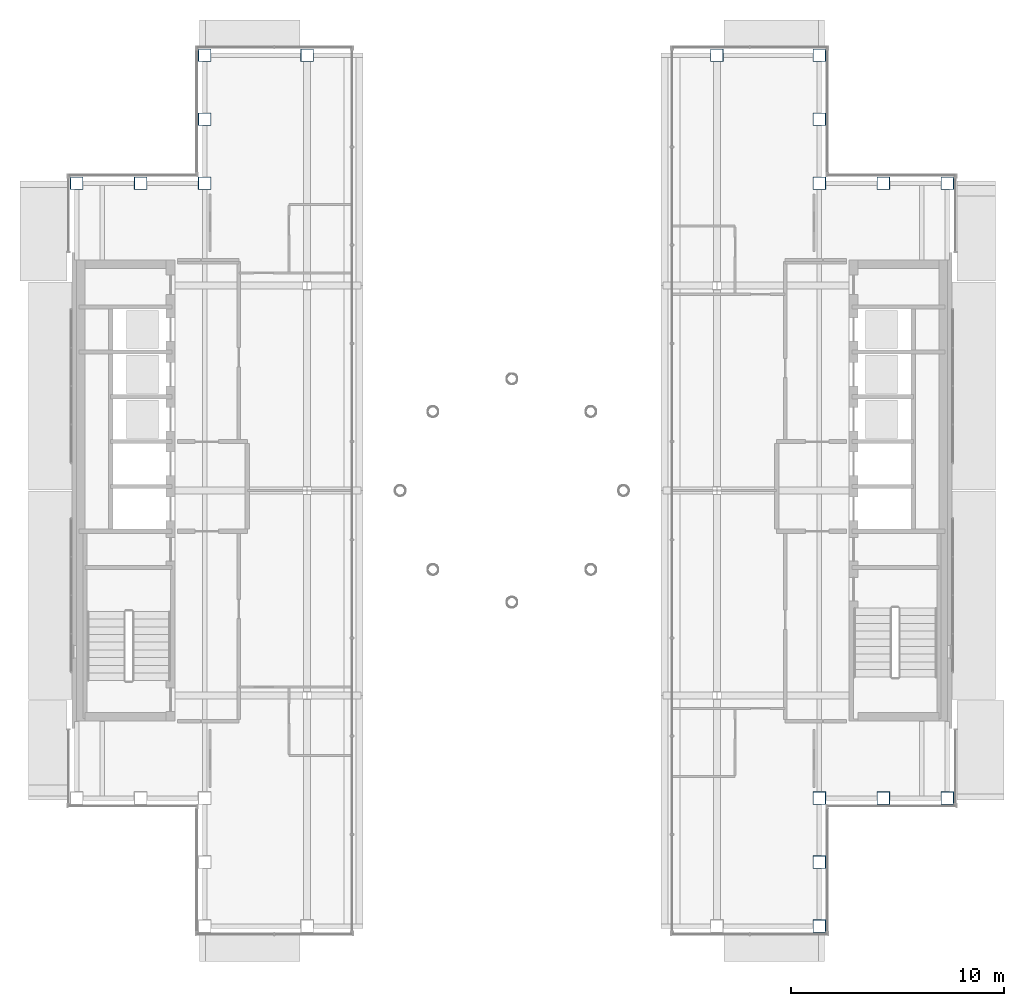
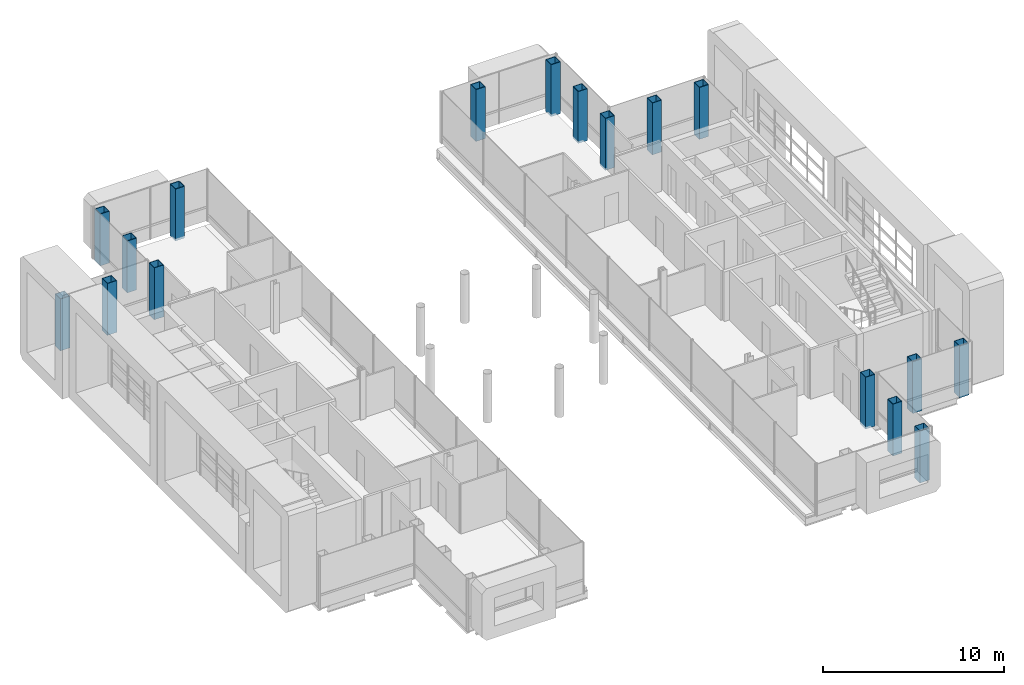
# One storey, part 2 of 21: 17 columns.
"""IFC4 building model written with IfcOpenShell, lengths in metres."""

from ifc_helpers import new_model, si_unit, direction, frame, origin, origin_2d, place, context, subcontext, project, spatial, hollow_rectangle, extrude, material, material_profile, profile_set, type_object, element, save


model = new_model("IFC4")

# Units and contexts
model_context = context("Model", 3, precision=1e-05, world=origin(), true_north=direction((0.0, 1.0)))
body_context = subcontext(model_context, "Body", "Model", "MODEL_VIEW")
ifc_project = project(units=[si_unit("LENGTHUNIT", "METRE"), si_unit("AREAUNIT", "SQUARE_METRE"), si_unit("VOLUMEUNIT", "CUBIC_METRE"), si_unit("PLANEANGLEUNIT", "RADIAN"), si_unit("MASSUNIT", "GRAM", prefix="KILO")], contexts=[model_context])

# Site, building, storey
site_placement = place(None, origin())
site = spatial("IfcSite", under=ifc_project, at=site_placement, CompositionType="ELEMENT")
building_placement = place(site_placement, origin())
building = spatial("IfcBuilding", under=site, at=building_placement, Name="Cobrizo Arcos Hotel Tower", CompositionType="ELEMENT")
storey_placement = place(building_placement, frame((0.0, 0.0, 269.0)))
storey = spatial("IfcBuildingStorey", under=building, at=storey_placement, Name="L71", CompositionType="ELEMENT", Elevation=269.0)

# Columns
ifc_material = material(Name="Steel ASTM A572 Grade 50", Category="steel")
ifc_material_profile = material_profile(ifc_material, hollow_rectangle(XDim=0.60009765625, YDim=0.60009765625, WallThickness=0.030029296875, at=origin_2d()), Name="BOX 600X600X30")
ifc_profile_set = profile_set([ifc_material_profile], Name="Steel ASTM A572 Grade 50")
column_type = type_object("IfcColumnType", Name="BOX 600X600X30 column", PredefinedType="COLUMN", material=ifc_profile_set)
for number, where, z_axis, x_axis, name in (
    (1, (-14.39990234375, 20.39990234375, -0.14990234375), (0.0, 0.0, 1.0), (1.0, 0.0, 0.0), "Perimeter column C12, L71, no. 00"),
    (2, (-9.60009765625, 20.39990234375, -0.14990234375), (0.0, 0.0, 1.0), (1.0, 0.0, 0.0), "Perimeter column C12, L71, no. 02"),
    (3, (9.60009765625, 20.39990234375, -0.14990234375), (0.0, 0.0, 1.0), (1.0, 0.0, 0.0), "Perimeter column C12, L71, no. 04"),
    (4, (14.39990234375, 20.39990234375, -0.14990234375), (0.0, 0.0, 1.0), (1.0, 0.0, 0.0), "Perimeter column C12, L71, no. 06"),
    (5, (14.39990234375, -20.39990234375, -0.14990234375), (0.0, 0.0, 1.0), (1.0, 0.0, 0.0), "Perimeter column C12, L71, no. 07"),
    (6, (20.39990234375, -14.39990234375, -0.14990234375), (0.0, 0.0, 1.0), (1.0, 0.0, 0.0), "Perimeter column C12, L71, no. 08"),
    (7, (20.39990234375, 14.39990234375, -0.14990234375), (0.0, 0.0, 1.0), (1.0, 0.0, 0.0), "Perimeter column C12, L71, no. 10"),
    (8, (-20.39990234375, 14.39990234375, -0.14990234375), (0.0, 0.0, 1.0), (1.0, 0.0, 0.0), "Perimeter column C12, L71, no. 11"),
    (9, (-14.39990234375, 14.39990234375, -0.14990234375), (0.0, 0.0, 1.0), (1.0, 0.0, 0.0), "Perimeter column C12, L71, no. 15"),
    (10, (-14.39990234375, 17.39990234375, -0.14990234375), (0.0, 0.0, 1.0), (1.0, 0.0, 0.0), "Perimeter column C12, L71, no. 16"),
    (11, (-17.39990234375, 14.39990234375, -0.14990234375), (0.0, 0.0, 1.0), (1.0, 0.0, 0.0), "Perimeter column C12, L71, no. 17"),
    (12, (14.39990234375, -14.39990234375, -0.14990234375), (0.0, 0.0, 1.0), (1.0, 0.0, 0.0), "Perimeter column C12, L71, no. 18"),
    (13, (14.39990234375, -17.39990234375, -0.14990234375), (0.0, 0.0, 1.0), (1.0, 0.0, 0.0), "Perimeter column C12, L71, no. 19"),
    (14, (17.39990234375, -14.39990234375, -0.14990234375), (0.0, 0.0, 1.0), (1.0, 0.0, 0.0), "Perimeter column C12, L71, no. 20"),
    (15, (14.39990234375, 14.39990234375, -0.14990234375), (0.0, 0.0, 1.0), (1.0, 0.0, 0.0), "Perimeter column C12, L71, no. 21"),
    (16, (14.39990234375, 17.39990234375, -0.14990234375), (0.0, 0.0, 1.0), (1.0, 0.0, 0.0), "Perimeter column C12, L71, no. 22"),
    (17, (17.39990234375, 14.39990234375, -0.14990234375), (0.0, 0.0, 1.0), (1.0, 0.0, 0.0), "Perimeter column C12, L71, no. 23"),
):
    element("IfcColumn", number, at=place(storey_placement, frame(where, z_axis=z_axis, x_axis=x_axis)), inside=storey, type_object=column_type, Name=name, PredefinedType="COLUMN", context=body_context, shape_type="SweptSolid", body=[
        extrude(hollow_rectangle(XDim=0.60009765625, YDim=0.60009765625, WallThickness=0.030029296875, at=origin_2d()), origin(), (0.0, 0.0, 1.0), 3.5),
    ])

save(model, "model.ifc")
